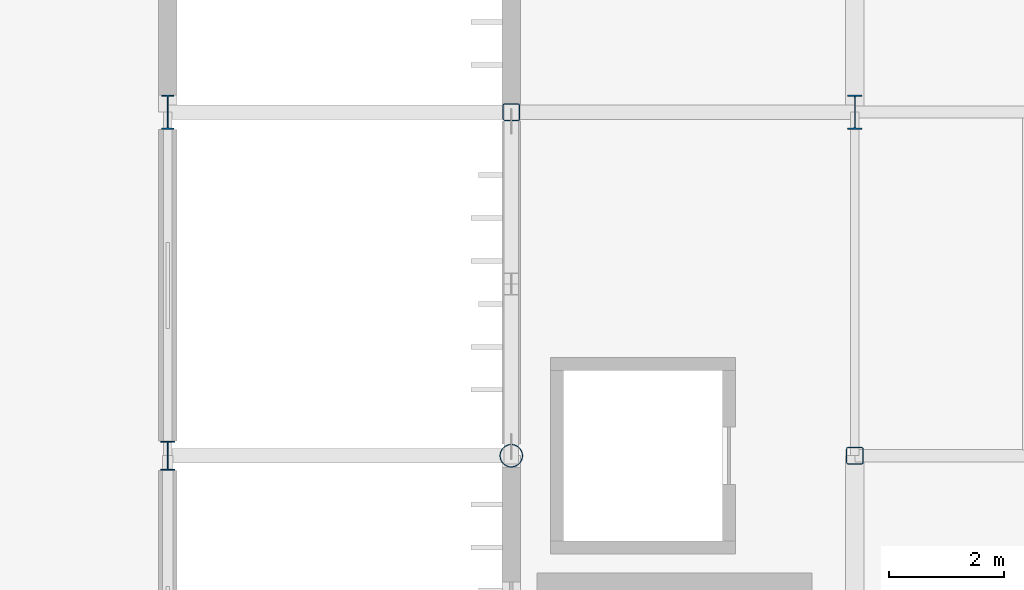
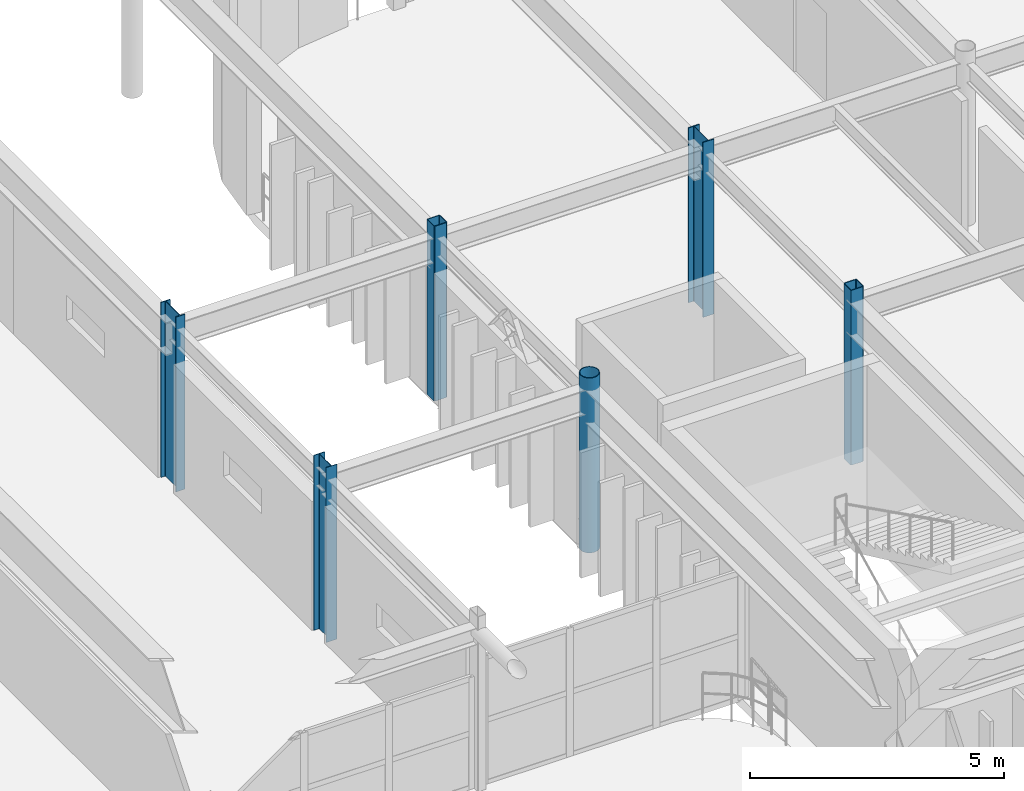
# One storey, part 13 of 116: 6 columns.
"""IFC4 building model written with IfcOpenShell, lengths in metres."""

from ifc_helpers import new_model, si_unit, direction, frame, origin, origin_2d, place, context, subcontext, project, spatial, hollow_rectangle, hollow_circle, i_section, extrude, material, material_profile, profile_set, type_object, element, save


model = new_model("IFC4")

# Units and contexts
model_context = context("Model", 3, precision=1e-05, world=origin(), true_north=direction((0.0, 1.0)))
body_context = subcontext(model_context, "Body", "Model", "MODEL_VIEW")
ifc_project = project(units=[si_unit("LENGTHUNIT", "METRE"), si_unit("AREAUNIT", "SQUARE_METRE"), si_unit("VOLUMEUNIT", "CUBIC_METRE"), si_unit("PLANEANGLEUNIT", "RADIAN"), si_unit("MASSUNIT", "GRAM", prefix="KILO")], contexts=[model_context])

# Site, building, storey
site_placement = place(None, origin())
site = spatial("IfcSite", under=ifc_project, at=site_placement, CompositionType="ELEMENT")
building_placement = place(site_placement, origin())
building = spatial("IfcBuilding", under=site, at=building_placement, Name="Varnakota Square Police Headquarters", CompositionType="ELEMENT")
storey_placement = place(building_placement, frame((0.0, 0.0, 9.300048828125)))
storey = spatial("IfcBuildingStorey", under=building, at=storey_placement, Name="L02", CompositionType="ELEMENT", Elevation=9.300048828125)

# Columns
ifc_material = material(Name="Steel IS 2062 Grade 350", Category="steel")
ifc_material_profile_1 = material_profile(ifc_material, hollow_circle(Radius=0.203125, WallThickness=0.01611328125, at=origin_2d()), Name="CHS 406.4x16.0")
ifc_profile_set_1 = profile_set([ifc_material_profile_1], Name="Steel IS 2062 Grade 350")
column_type_1 = type_object("IfcColumnType", Name="COL-CHS406", PredefinedType="COLUMN", material=ifc_profile_set_1)
column_1_placement = place(storey_placement, frame((60.0, 81.0, 0.0), z_axis=(0.0, 0.0, 1.0), x_axis=(1.0, 0.0, 0.0)))
element("IfcColumn", 1, at=column_1_placement, inside=storey, type_object=column_type_1, Name="Column X0600-Y0810 L02", PredefinedType="COLUMN", context=body_context, shape_type="SweptSolid", body=[
    extrude(hollow_circle(Radius=0.203125, WallThickness=0.01611328125, at=origin_2d()), origin(), (0.0, 0.0, 1.0), 4.199951171875),
])
ifc_material_profile_2 = material_profile(ifc_material, i_section(OverallWidth=0.2099609375, OverallDepth=0.60009765625, WebThickness=0.011962890625, FlangeThickness=0.020751953125, FilletRadius=0.02001953125, at=origin_2d()), Name="ISMB 600")
ifc_profile_set_2 = profile_set([ifc_material_profile_2], Name="Steel IS 2062 Grade 350")
column_type_2 = type_object("IfcColumnType", Name="COL-ISMB600", PredefinedType="COLUMN", material=ifc_profile_set_2)
column_2_placement = place(storey_placement, frame((54.0, 87.0, 0.0), z_axis=(0.0, 0.0, 1.0), x_axis=(1.0, 0.0, 0.0)))
element("IfcColumn", 2, at=column_2_placement, inside=storey, type_object=column_type_2, Name="Column X0540-Y0870 L02", PredefinedType="COLUMN", context=body_context, shape_type="SweptSolid", body=[
    extrude(i_section(OverallWidth=0.2099609375, OverallDepth=0.60009765625, WebThickness=0.011962890625, FlangeThickness=0.020751953125, FilletRadius=0.02001953125, at=origin_2d()), origin(), (0.0, 0.0, 1.0), 4.199951171875),
])
ifc_material_profile_3 = material_profile(ifc_material, i_section(OverallWidth=0.25, OverallDepth=0.5, WebThickness=0.010009765625, FlangeThickness=0.0146484375, FilletRadius=0.014892578125, at=origin_2d()), Name="ISWB 500")
ifc_profile_set_3 = profile_set([ifc_material_profile_3], Name="Steel IS 2062 Grade 350")
column_type_3 = type_object("IfcColumnType", Name="COL-ISWB500", PredefinedType="COLUMN", material=ifc_profile_set_3)
column_3_placement = place(storey_placement, frame((54.0, 81.0, 0.0), z_axis=(0.0, 0.0, 1.0), x_axis=(1.0, 0.0, 0.0)))
element("IfcColumn", 3, at=column_3_placement, inside=storey, type_object=column_type_3, Name="Column X0540-Y0810 L02", PredefinedType="COLUMN", context=body_context, shape_type="SweptSolid", body=[
    extrude(i_section(OverallWidth=0.25, OverallDepth=0.5, WebThickness=0.010009765625, FlangeThickness=0.0146484375, FilletRadius=0.014892578125, at=origin_2d()), origin(), (0.0, 0.0, 1.0), 4.199951171875),
])
ifc_material_profile_4 = material_profile(ifc_material, i_section(OverallWidth=0.25, OverallDepth=0.60009765625, WebThickness=0.01171875, FlangeThickness=0.023681640625, FilletRadius=0.01708984375, at=origin_2d()), Name="ISWB 600")
ifc_profile_set_4 = profile_set([ifc_material_profile_4], Name="Steel IS 2062 Grade 350")
column_type_4 = type_object("IfcColumnType", Name="COL-ISWB600", PredefinedType="COLUMN", material=ifc_profile_set_4)
column_4_placement = place(storey_placement, frame((66.0, 87.0, 0.0), z_axis=(0.0, 0.0, 1.0), x_axis=(1.0, 0.0, 0.0)))
element("IfcColumn", 4, at=column_4_placement, inside=storey, type_object=column_type_4, Name="Column X0660-Y0870 L02", PredefinedType="COLUMN", context=body_context, shape_type="SweptSolid", body=[
    extrude(i_section(OverallWidth=0.25, OverallDepth=0.60009765625, WebThickness=0.01171875, FlangeThickness=0.023681640625, FilletRadius=0.01708984375, at=origin_2d()), origin(), (0.0, 0.0, 1.0), 4.199951171875),
])
ifc_material_profile_5 = material_profile(ifc_material, hollow_rectangle(XDim=0.300048828125, YDim=0.300048828125, WallThickness=0.01611328125, InnerFilletRadius=0.01611328125, OuterFilletRadius=0.031982421875, at=origin_2d()), Name="SHS 300x300x16")
ifc_profile_set_5 = profile_set([ifc_material_profile_5], Name="Steel IS 2062 Grade 350")
column_type_5 = type_object("IfcColumnType", Name="COL-SHS300", PredefinedType="COLUMN", material=ifc_profile_set_5)
for number, where, z_axis, x_axis, name in (
    (5, (60.0, 87.0, 0.0), (0.0, 0.0, 1.0), (1.0, 0.0, 0.0), "Column X0600-Y0870 L02"),
    (6, (66.0, 81.0, 0.0), (0.0, 0.0, 1.0), (1.0, 0.0, 0.0), "Column X0660-Y0810 L02"),
):
    element("IfcColumn", number, at=place(storey_placement, frame(where, z_axis=z_axis, x_axis=x_axis)), inside=storey, type_object=column_type_5, Name=name, PredefinedType="COLUMN", context=body_context, shape_type="SweptSolid", body=[
        extrude(hollow_rectangle(XDim=0.300048828125, YDim=0.300048828125, WallThickness=0.01611328125, InnerFilletRadius=0.01611328125, OuterFilletRadius=0.031982421875, at=origin_2d()), origin(), (0.0, 0.0, 1.0), 4.199951171875),
    ])

save(model, "model.ifc")
